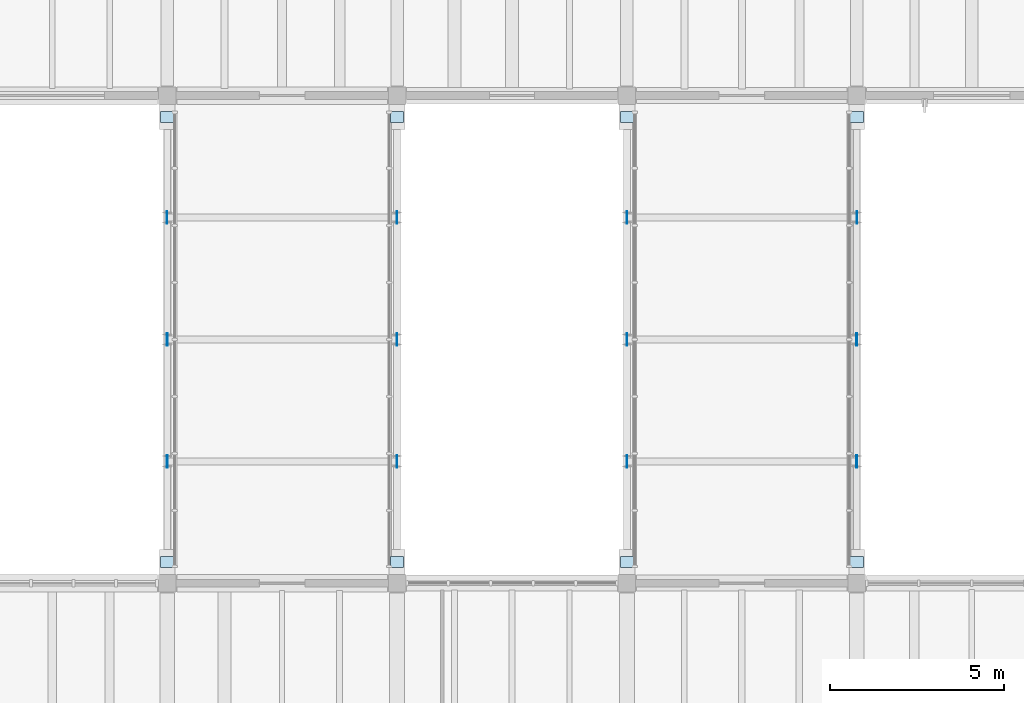
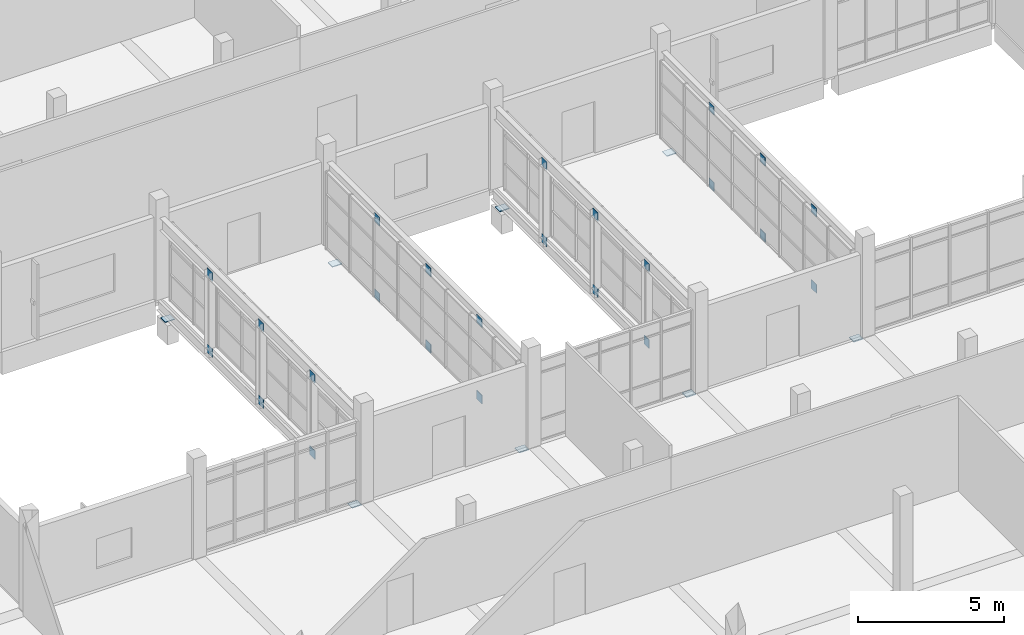
# One storey, part 45 of 65: 32 plates.
"""IFC4 building model written with IfcOpenShell, lengths in metres."""

import ifcopenshell
import ifcopenshell.guid

model = None  # the IFC model being written
_history = None  # IfcOwnerHistory: only IFC2X3 demands one
_inside = {}  # id of a spatial element -> (the spatial element, [elements in it])
_under = {}  # id of a project, library or spatial element -> (it, [spatial elements below it])
_declared = {}  # id of a project -> (the project, [libraries it declares])
_typed = {}  # id of a type object -> (the type object, [elements of that type])
_made_of = {}  # id of a material, layer set ... -> (it, [elements and type objects made of it])


def new_model(schema):
    """Start an empty IFC model of exactly this schema.

    Asked for "IFC4X3", IfcOpenShell would pick the latest addendum, in which some entities
    have other attributes; the version numbers below select the first issue.
    IFC2X3 requires an IfcOwnerHistory on every rooted entity: one is made here for all.
    """
    global model, _history
    if schema == "IFC4X3":
        model = ifcopenshell.file(schema_version=(4, 3, 0, 0))
    else:
        model = ifcopenshell.file(schema=schema)
    _inside.clear()
    _under.clear()
    _declared.clear()
    _typed.clear()
    _made_of.clear()
    _history = None
    if model.schema == "IFC2X3":
        org = make("IfcOrganization", Name="unknown")
        user = make(
            "IfcPersonAndOrganization",
            ThePerson=make("IfcPerson", FamilyName="unknown"),
            TheOrganization=org,
        )
        app = make(
            "IfcApplication",
            ApplicationDeveloper=org,
            Version="unknown",
            ApplicationFullName="unknown",
            ApplicationIdentifier="unknown",
        )
        _history = make(
            "IfcOwnerHistory",
            OwningUser=user,
            OwningApplication=app,
            ChangeAction="ADDED",
            CreationDate=0,
        )
    return model


def make(cls, **values):
    """One entity of the class cls with the attributes given. An attribute that is None is left unset."""
    return model.create_entity(
        cls, **{name: value for name, value in values.items() if value is not None}
    )


def rooted(cls, **values):
    """An entity with a GlobalId (a new one), such as an element, a storey or a relation."""
    return make(cls, GlobalId=ifcopenshell.guid.new(), OwnerHistory=_history, **values)


def si_unit(unit_type, name, prefix=None):
    """IfcSIUnit, for example si_unit("LENGTHUNIT", "METRE", prefix="MILLI")."""
    return make("IfcSIUnit", UnitType=unit_type, Prefix=prefix, Name=name)


def assignment(units):
    """IfcUnitAssignment: the units of a project."""
    return None if units is None else make("IfcUnitAssignment", Units=units)


def point(xyz):
    """IfcCartesianPoint."""
    return None if xyz is None else make("IfcCartesianPoint", Coordinates=xyz)


def direction(xyz):
    """IfcDirection."""
    return None if xyz is None else make("IfcDirection", DirectionRatios=xyz)


def frame(location, z_axis=None, x_axis=None):
    """IfcAxis2Placement3D, a coordinate frame: its origin and axes. An axis left out is left unset."""
    return make(
        "IfcAxis2Placement3D",
        Location=point(location),
        Axis=direction(z_axis),
        RefDirection=direction(x_axis),
    )


def frame_2d(location, x_axis=None):
    """IfcAxis2Placement2D, a coordinate frame in the plane: its origin and x axis."""
    return make(
        "IfcAxis2Placement2D", Location=point(location), RefDirection=direction(x_axis)
    )


def origin():
    """The frame at (0, 0, 0) with its axes left unset."""
    return frame((0.0, 0.0, 0.0))


def origin_2d():
    """The frame at (0, 0) in the plane with its x axis left unset."""
    return frame_2d((0.0, 0.0))


def place(relative_to, where):
    """IfcLocalPlacement: puts the frame where relative to a parent placement (None: the world)."""
    return make(
        "IfcLocalPlacement", PlacementRelTo=relative_to, RelativePlacement=where
    )


def context(
    kind, dimensions, precision=None, world=None, true_north=None, identifier=None
):
    """IfcGeometricRepresentationContext, for example the 3D "Model" context."""
    return make(
        "IfcGeometricRepresentationContext",
        ContextIdentifier=identifier,
        ContextType=kind,
        CoordinateSpaceDimension=dimensions,
        Precision=precision,
        WorldCoordinateSystem=world,
        TrueNorth=true_north,
    )


def subcontext(parent, identifier, kind, view, scale=None):
    """IfcGeometricRepresentationSubContext, for example "Body" below "Model"."""
    return make(
        "IfcGeometricRepresentationSubContext",
        ContextIdentifier=identifier,
        ContextType=kind,
        ParentContext=parent,
        TargetScale=scale,
        TargetView=view,
    )


def project(units=None, contexts=None):
    """IfcProject with its units and contexts."""
    return rooted(
        "IfcProject",
        Name="project",
        RepresentationContexts=contexts,
        UnitsInContext=assignment(units),
    )


def spatial(cls, under=None, at=None, **own):
    """A site, building, storey or space (cls), placed at a placement, below another one or the project."""
    s = rooted(cls, ObjectPlacement=at, **own)
    if under is not None:
        _under.setdefault(under.id(), (under, []))[1].append(s)
    return s


def profile(cls, at=None, kind="AREA", **sizes):
    """A parametric profile (cls). Its sizes go by their IFC names, for example OverallWidth=200.0."""
    return make(cls, ProfileType=kind, Position=at, **sizes)


def rectangle(**sizes):
    """IfcRectangleProfileDef."""
    return profile("IfcRectangleProfileDef", **sizes)


def extrude(swept, where, along, depth):
    """IfcExtrudedAreaSolid: the profile swept, set in the frame where, extruded along a direction by depth."""
    return make(
        "IfcExtrudedAreaSolid",
        SweptArea=swept,
        Position=where,
        ExtrudedDirection=direction(along),
        Depth=depth,
    )


def shape(context_of_items, identifier, shape_type, items):
    """IfcShapeRepresentation: the items that make up one representation, for example the "Body"."""
    return make(
        "IfcShapeRepresentation",
        ContextOfItems=context_of_items,
        RepresentationIdentifier=identifier,
        RepresentationType=shape_type,
        Items=items,
    )


def material(Name=None, Category=None):
    """IfcMaterial."""
    return make("IfcMaterial", Name=Name, Category=Category)


def layer(
    of_material, thickness, ventilated=None, Name=None, Category=None, Priority=None
):
    """IfcMaterialLayer: one layer of a wall or slab, of a material (None: an air gap)."""
    return make(
        "IfcMaterialLayer",
        Material=of_material,
        LayerThickness=thickness,
        IsVentilated=ventilated,
        Name=Name,
        Category=Category,
        Priority=Priority,
    )


def layer_set(layers, Name=None):
    """IfcMaterialLayerSet."""
    return make("IfcMaterialLayerSet", MaterialLayers=layers, LayerSetName=Name)


def made_of(thing, what):
    """Note that an element or type object is made of a material, layer set ...; save() writes the relation."""
    if what is not None:
        _made_of.setdefault(what.id(), (what, []))[1].append(thing)
    return thing


def type_object(cls, material=None, **own):
    """A type object (cls), such as IfcWallType, which elements share."""
    return made_of(rooted(cls, **own), material)


def element(
    cls,
    number,
    at=None,
    inside=None,
    cuts=None,
    type_object=None,
    material=None,
    context=None,
    identifier="Body",
    shape_type=None,
    held_by="IfcProductDefinitionShape",
    body=None,
    shapes=None,
    **own,
):
    """One element of the class cls, such as IfcWall. Its Tag is "e" and its number.

    at: its placement. inside: the storey or other place that contains it. cuts: it is an
    opening in that element (IfcRelVoidsElement). A single representation is given by context,
    identifier, shape_type and body (its items); several are given by shapes. held_by: the class
    of the entity that holds the representations. save() writes the other relations.
    """
    e = rooted(cls, Tag="e%d" % number, ObjectPlacement=at, **own)
    if body is not None:
        shapes = [shape(context, identifier, shape_type, body)]
    if shapes is not None:
        e.Representation = make(held_by, Representations=shapes)
    if inside is not None:
        _inside.setdefault(inside.id(), (inside, []))[1].append(e)
    if cuts is not None:
        rooted(
            "IfcRelVoidsElement", RelatingBuildingElement=cuts, RelatedOpeningElement=e
        )
    if type_object is not None:
        _typed.setdefault(type_object.id(), (type_object, []))[1].append(e)
    return made_of(e, material)


def aggregate(whole, parts):
    """IfcRelAggregates: a whole, such as a stair, and the parts it consists of."""
    return rooted("IfcRelAggregates", RelatingObject=whole, RelatedObjects=parts)


def save(model, path):
    """Write the relations noted so far, then the file.

    IfcRelAggregates (storeys below a building ...), IfcRelContainedInSpatialStructure (elements
    in a storey), IfcRelDefinesByType, IfcRelAssociatesMaterial and IfcRelDeclares: one each for
    every whole, place, type object, material and project.
    """
    for whole, parts in _under.values():
        aggregate(whole, parts)
    for where, things in _inside.values():
        rooted(
            "IfcRelContainedInSpatialStructure",
            RelatedElements=things,
            RelatingStructure=where,
        )
    for kind, things in _typed.values():
        rooted("IfcRelDefinesByType", RelatedObjects=things, RelatingType=kind)
    for what, things in _made_of.values():
        rooted("IfcRelAssociatesMaterial", RelatedObjects=things, RelatingMaterial=what)
    for by, libraries in _declared.values():
        rooted("IfcRelDeclares", RelatingContext=by, RelatedDefinitions=libraries)
    model.write(path)


model = new_model("IFC4")

# Units and contexts
model_context = context("Model", 3, precision=1e-05, world=origin(), true_north=direction((0.0, 1.0)))
body_context = subcontext(model_context, "Body", "Model", "MODEL_VIEW")
ifc_project = project(units=[si_unit("LENGTHUNIT", "METRE"), si_unit("AREAUNIT", "SQUARE_METRE"), si_unit("VOLUMEUNIT", "CUBIC_METRE"), si_unit("PLANEANGLEUNIT", "RADIAN"), si_unit("MASSUNIT", "GRAM", prefix="KILO")], contexts=[model_context])

# Site, building, storey
site_placement = place(None, origin())
site = spatial("IfcSite", under=ifc_project, at=site_placement, CompositionType="ELEMENT")
building_placement = place(site_placement, origin())
building = spatial("IfcBuilding", under=site, at=building_placement, Name="Ciguamira Faculty of Natural Sciences", CompositionType="ELEMENT")
storey_placement = place(building_placement, frame((0.0, 0.0, 12.60009765625)))
storey = spatial("IfcBuildingStorey", under=building, at=storey_placement, Name="L03", CompositionType="ELEMENT", Elevation=12.60009765625)

# Plates
ifc_material = material(Name="Steel ASTM A572 Grade 50", Category="steel")
ifc_layer_1 = layer(ifc_material, 0.01611328125, Name="Steel ASTM A572 Grade 50")
ifc_layer_set_1 = layer_set([ifc_layer_1], Name="Steel ASTM A572 Grade 50")
plate_type_1 = type_object("IfcPlateType", Name="GussetPlate_EP-01", PredefinedType="SHEET", material=ifc_layer_set_1)
for number, where, z_axis, x_axis, name in (
    (1, (77.10009765625, 69.5, -0.3701171875), (0.0, 0.0, 1.0), (1.0, 0.0, 0.0), "Link bridge BR-3 bot gusset node plate 1-4"),
    (2, (77.10009765625, 69.5, 2.81005859375), (0.0, 0.0, 1.0), (1.0, 0.0, 0.0), "Link bridge BR-3 top gusset node plate 1-4"),
    (3, (83.699951171875, 69.5, -0.3701171875), (0.0, 0.0, 1.0), (1.0, 0.0, 0.0), "Link bridge BR-3 bot gusset node plate 2-4"),
    (4, (83.699951171875, 69.5, 2.81005859375), (0.0, 0.0, 1.0), (1.0, 0.0, 0.0), "Link bridge BR-3 top gusset node plate 2-4"),
    (5, (90.300048828125, 69.5, -0.3701171875), (0.0, 0.0, 1.0), (1.0, 0.0, 0.0), "Link bridge BR-4 bot gusset node plate 1-4"),
    (6, (90.300048828125, 69.5, 2.81005859375), (0.0, 0.0, 1.0), (1.0, 0.0, 0.0), "Link bridge BR-4 top gusset node plate 1-4"),
    (7, (96.89990234375, 69.5, -0.3701171875), (0.0, 0.0, 1.0), (1.0, 0.0, 0.0), "Link bridge BR-4 bot gusset node plate 2-4"),
    (8, (96.89990234375, 69.5, 2.81005859375), (0.0, 0.0, 1.0), (1.0, 0.0, 0.0), "Link bridge BR-4 top gusset node plate 2-4"),
):
    element("IfcPlate", number, at=place(storey_placement, frame(where, z_axis=z_axis, x_axis=x_axis)), inside=storey, type_object=plate_type_1, Name=name, PredefinedType="SHEET", context=body_context, shape_type="SweptSolid", body=[
        extrude(rectangle(XDim=0.01611328125, YDim=0.360107421875, at=origin_2d()), origin(), (0.0, 0.0, 1.0), 0.360107421875),
    ])
ifc_layer_2 = layer(ifc_material, 0.02001953125, Name="Steel ASTM A572 Grade 50")
ifc_layer_set_2 = layer_set([ifc_layer_2], Name="Steel ASTM A572 Grade 50")
plate_type_2 = type_object("IfcPlateType", Name="GussetPlate_EP-02", PredefinedType="SHEET", material=ifc_layer_set_2)
for number, where, z_axis, x_axis, name in (
    (9, (77.10009765625, 62.5, -0.3701171875), (0.0, 0.0, 1.0), (1.0, 0.0, 0.0), "Link bridge BR-3 bot gusset node plate 1-2"),
    (10, (77.10009765625, 62.5, 2.81005859375), (0.0, 0.0, 1.0), (1.0, 0.0, 0.0), "Link bridge BR-3 top gusset node plate 1-2"),
    (11, (83.699951171875, 62.5, -0.3701171875), (0.0, 0.0, 1.0), (1.0, 0.0, 0.0), "Link bridge BR-3 bot gusset node plate 2-2"),
    (12, (83.699951171875, 62.5, 2.81005859375), (0.0, 0.0, 1.0), (1.0, 0.0, 0.0), "Link bridge BR-3 top gusset node plate 2-2"),
    (13, (90.300048828125, 62.5, -0.3701171875), (0.0, 0.0, 1.0), (1.0, 0.0, 0.0), "Link bridge BR-4 bot gusset node plate 1-2"),
    (14, (90.300048828125, 62.5, 2.81005859375), (0.0, 0.0, 1.0), (1.0, 0.0, 0.0), "Link bridge BR-4 top gusset node plate 1-2"),
    (15, (96.89990234375, 62.5, -0.3701171875), (0.0, 0.0, 1.0), (1.0, 0.0, 0.0), "Link bridge BR-4 bot gusset node plate 2-2"),
    (16, (96.89990234375, 62.5, 2.81005859375), (0.0, 0.0, 1.0), (1.0, 0.0, 0.0), "Link bridge BR-4 top gusset node plate 2-2"),
):
    element("IfcPlate", number, at=place(storey_placement, frame(where, z_axis=z_axis, x_axis=x_axis)), inside=storey, type_object=plate_type_2, Name=name, PredefinedType="SHEET", context=body_context, shape_type="SweptSolid", body=[
        extrude(rectangle(XDim=0.02001953125, YDim=0.360107421875, at=origin_2d()), origin(), (0.0, 0.0, 1.0), 0.360107421875),
    ])
ifc_layer_3 = layer(ifc_material, 0.02490234375, Name="Steel ASTM A572 Grade 50")
ifc_layer_set_3 = layer_set([ifc_layer_3], Name="Steel ASTM A572 Grade 50")
plate_type_3 = type_object("IfcPlateType", Name="GussetPlate_EP-03", PredefinedType="SHEET", material=ifc_layer_set_3)
for number, where, z_axis, x_axis, name in (
    (17, (77.10009765625, 66.0, -0.3701171875), (0.0, 0.0, 1.0), (1.0, 0.0, 0.0), "Link bridge BR-3 bot gusset node plate 1-3"),
    (18, (77.10009765625, 66.0, 2.81005859375), (0.0, 0.0, 1.0), (1.0, 0.0, 0.0), "Link bridge BR-3 top gusset node plate 1-3"),
    (19, (83.699951171875, 66.0, -0.3701171875), (0.0, 0.0, 1.0), (1.0, 0.0, 0.0), "Link bridge BR-3 bot gusset node plate 2-3"),
    (20, (83.699951171875, 66.0, 2.81005859375), (0.0, 0.0, 1.0), (1.0, 0.0, 0.0), "Link bridge BR-3 top gusset node plate 2-3"),
    (21, (90.300048828125, 66.0, -0.3701171875), (0.0, 0.0, 1.0), (1.0, 0.0, 0.0), "Link bridge BR-4 bot gusset node plate 1-3"),
    (22, (90.300048828125, 66.0, 2.81005859375), (0.0, 0.0, 1.0), (1.0, 0.0, 0.0), "Link bridge BR-4 top gusset node plate 1-3"),
    (23, (96.89990234375, 66.0, -0.3701171875), (0.0, 0.0, 1.0), (1.0, 0.0, 0.0), "Link bridge BR-4 bot gusset node plate 2-3"),
    (24, (96.89990234375, 66.0, 2.81005859375), (0.0, 0.0, 1.0), (1.0, 0.0, 0.0), "Link bridge BR-4 top gusset node plate 2-3"),
):
    element("IfcPlate", number, at=place(storey_placement, frame(where, z_axis=z_axis, x_axis=x_axis)), inside=storey, type_object=plate_type_3, Name=name, PredefinedType="SHEET", context=body_context, shape_type="SweptSolid", body=[
        extrude(rectangle(XDim=0.02490234375, YDim=0.360107421875, at=origin_2d()), origin(), (0.0, 0.0, 1.0), 0.360107421875),
    ])
ifc_layer_4 = layer(ifc_material, 0.031982421875, Name="Steel ASTM A572 Grade 50")
ifc_layer_set_4 = layer_set([ifc_layer_4], Name="Steel ASTM A572 Grade 50")
plate_type_4 = type_object("IfcPlateType", Name="GussetPlate_EP-04", PredefinedType="SHEET", material=ifc_layer_set_4)
for number, where, z_axis, x_axis, name in (
    (25, (77.10009765625, 72.389892578125, -0.61572265625), (0.0, 0.0, 1.0), (1.0, 0.0, 0.0), "Link bridge BR-3 PTFE slide bearing plate 1"),
    (26, (77.10009765625, 59.610107421875, -0.61572265625), (0.0, 0.0, 1.0), (1.0, 0.0, 0.0), "Link bridge BR-3 fixed south bearing plate 1"),
    (27, (83.699951171875, 72.389892578125, -0.61572265625), (0.0, 0.0, 1.0), (1.0, 0.0, 0.0), "Link bridge BR-3 PTFE slide bearing plate 2"),
    (28, (83.699951171875, 59.610107421875, -0.61572265625), (0.0, 0.0, 1.0), (1.0, 0.0, 0.0), "Link bridge BR-3 fixed south bearing plate 2"),
    (29, (90.300048828125, 72.389892578125, -0.61572265625), (0.0, 0.0, 1.0), (1.0, 0.0, 0.0), "Link bridge BR-4 PTFE slide bearing plate 1"),
    (30, (90.300048828125, 59.610107421875, -0.61572265625), (0.0, 0.0, 1.0), (1.0, 0.0, 0.0), "Link bridge BR-4 fixed south bearing plate 1"),
    (31, (96.89990234375, 72.389892578125, -0.61572265625), (0.0, 0.0, 1.0), (1.0, 0.0, 0.0), "Link bridge BR-4 PTFE slide bearing plate 2"),
    (32, (96.89990234375, 59.610107421875, -0.61572265625), (0.0, 0.0, 1.0), (1.0, 0.0, 0.0), "Link bridge BR-4 fixed south bearing plate 2"),
):
    element("IfcPlate", number, at=place(storey_placement, frame(where, z_axis=z_axis, x_axis=x_axis)), inside=storey, type_object=plate_type_4, Name=name, PredefinedType="SHEET", context=body_context, shape_type="SweptSolid", body=[
        extrude(rectangle(XDim=0.3798828125, YDim=0.320068359375, at=origin_2d()), origin(), (0.0, 0.0, 1.0), 0.031982421875),
    ])

save(model, "model.ifc")
